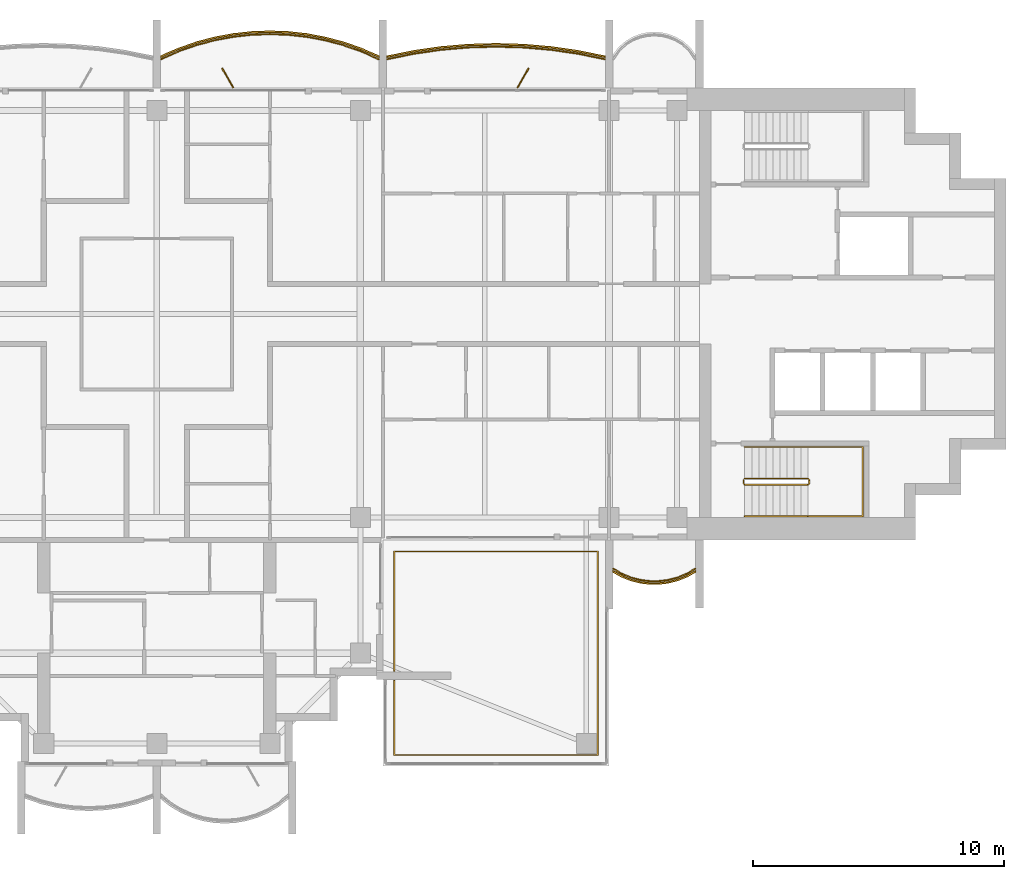
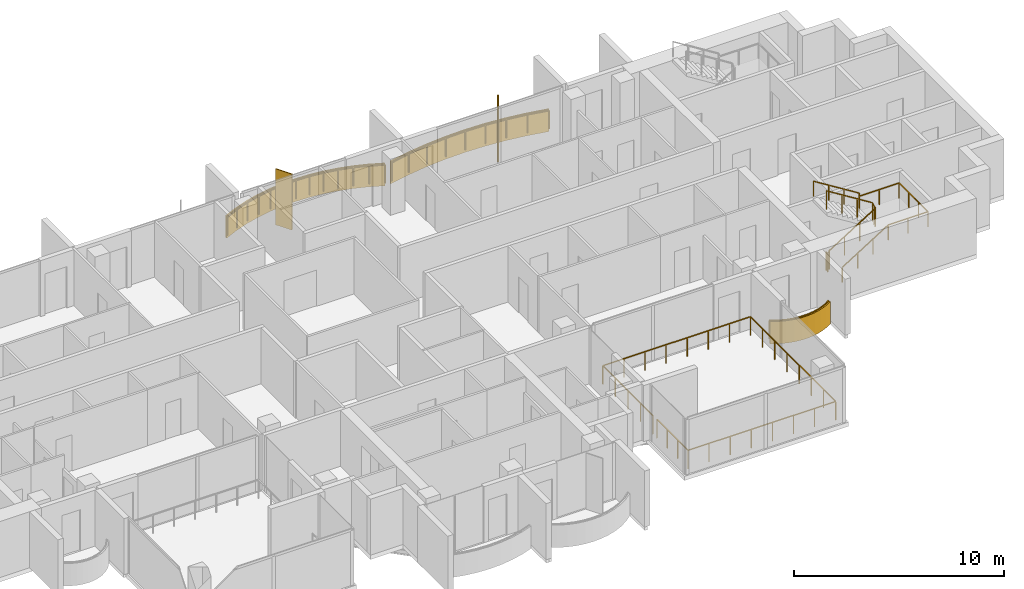
# One storey, part 15 of 16: 6 railings, 3 coverings, 2 shading devices.
"""IFC4 building model written with IfcOpenShell, lengths in metres."""

from ifc_helpers import new_model, si_unit, direction, frame, origin, origin_2d, place, context, subcontext, project, spatial, polyline, rectangle, outline, extrude, material, layer, layer_set, type_object, element, save


model = new_model("IFC4")

# Units and contexts
model_context = context("Model", 3, precision=1e-05, world=origin(), true_north=direction((0.0, 1.0)))
body_context = subcontext(model_context, "Body", "Model", "MODEL_VIEW")
ifc_project = project(units=[si_unit("LENGTHUNIT", "METRE"), si_unit("AREAUNIT", "SQUARE_METRE"), si_unit("VOLUMEUNIT", "CUBIC_METRE"), si_unit("PLANEANGLEUNIT", "RADIAN"), si_unit("MASSUNIT", "GRAM", prefix="KILO")], contexts=[model_context])

# Site, building, storey
site_placement = place(None, origin())
site = spatial("IfcSite", under=ifc_project, at=site_placement, CompositionType="ELEMENT")
building_placement = place(site_placement, origin())
building = spatial("IfcBuilding", under=site, at=building_placement, Name="Perihelion Cross Residences", CompositionType="ELEMENT")
storey_placement = place(building_placement, frame((0.0, 0.0, 267.5)))
storey = spatial("IfcBuildingStorey", under=building, at=storey_placement, Name="L68", CompositionType="ELEMENT", Elevation=267.5)

# Coverings
ifc_material_1 = material(Name="Bronze anodised aluminium", Category="aluminium")
ifc_layer_1 = layer(ifc_material_1, 0.070068359375)
ifc_layer_set_1 = layer_set([ifc_layer_1], Name="Balcony fascia 1300")
covering_type = type_object("IfcCoveringType", Name="Balcony fascia 1300", PredefinedType="CLADDING", material=ifc_layer_set_1)
covering_1_placement = place(storey_placement, frame((0.0, 0.0, -0.199951171875)))
element("IfcCovering", 1, at=covering_1_placement, inside=storey, type_object=covering_type, Name="Fascia BF1 L68 east side north bay 2", PredefinedType="CLADDING", context=body_context, shape_type="SweptSolid", body=[
    extrude(outline(polyline([(16.7744140625, 10.4892578125), (15.682861328125, 10.645751953125), (14.591552734375, 10.739013671875), (13.5, 10.77001953125), (12.408447265625, 10.739013671875), (11.317138671875, 10.645751953125), (10.2255859375, 10.4892578125), (9.14990234375, 10.271484375), (9.14990234375, 10.199951171875), (10.237548828125, 10.42041015625), (11.324951171875, 10.576171875), (12.41259765625, 10.669189453125), (13.5, 10.699951171875), (14.58740234375, 10.669189453125), (15.675048828125, 10.576171875), (16.762451171875, 10.42041015625), (17.85009765625, 10.199951171875), (17.85009765625, 10.271484375), (16.7744140625, 10.4892578125)])), origin(), (0.0, 0.0, 1.0), 1.300048828125),
])
covering_2_placement = place(storey_placement, frame((0.0, 0.0, -0.199951171875)))
element("IfcCovering", 2, at=covering_2_placement, inside=storey, type_object=covering_type, Name="Fascia BF1 L68 north side east bay 1", PredefinedType="CLADDING", context=body_context, shape_type="SweptSolid", body=[
    extrude(outline(polyline([(8.150634765625, 10.582275390625), (7.42041015625, 10.83544921875), (6.690185546875, 11.028076171875), (5.960205078125, 11.1630859375), (5.22998046875, 11.243408203125), (4.5, 11.27001953125), (3.77001953125, 11.243408203125), (3.039794921875, 11.1630859375), (2.309814453125, 11.028076171875), (1.57958984375, 10.83544921875), (0.849365234375, 10.582275390625), (0.14990234375, 10.2763671875), (0.14990234375, 10.199951171875), (0.875, 10.51708984375), (1.60009765625, 10.7685546875), (2.324951171875, 10.959716796875), (3.050048828125, 11.093994140625), (3.77490234375, 11.173583984375), (4.5, 11.199951171875), (5.22509765625, 11.173583984375), (5.949951171875, 11.093994140625), (6.675048828125, 10.959716796875), (7.39990234375, 10.7685546875), (8.125, 10.51708984375), (8.85009765625, 10.199951171875), (8.85009765625, 10.2763671875), (8.150634765625, 10.582275390625)])), origin(), (0.0, 0.0, 1.0), 1.300048828125),
])
covering_3_placement = place(storey_placement, frame((0.0, 0.0, -0.199951171875)))
element("IfcCovering", 3, at=covering_3_placement, inside=storey, type_object=covering_type, Name="Fascia BF1 L68 east side south bay 2", PredefinedType="CLADDING", context=body_context, shape_type="SweptSolid", body=[
    extrude(outline(polyline([(18.486328125, -10.4716796875), (18.861572265625, -10.62158203125), (19.237060546875, -10.717529296875), (19.6123046875, -10.76416015625), (19.987548828125, -10.76416015625), (20.363037109375, -10.717529296875), (20.73828125, -10.62158203125), (21.11376953125, -10.4716796875), (21.449951171875, -10.280517578125), (21.449951171875, -10.199951171875), (21.083251953125, -10.40869140625), (20.716552734375, -10.55517578125), (20.35009765625, -10.648681640625), (19.9833984375, -10.6943359375), (19.61669921875, -10.6943359375), (19.25, -10.648681640625), (18.88330078125, -10.55517578125), (18.5166015625, -10.40869140625), (18.14990234375, -10.199951171875), (18.14990234375, -10.280517578125), (18.486328125, -10.4716796875)])), origin(), (0.0, 0.0, 1.0), 1.300048828125),
])

# Railings
ifc_material_2 = material(Name="Bronze anodised aluminium", Category="aluminium")
railing_type_1 = type_object("IfcRailingType", Name="Balcony guard 1100", PredefinedType="GUARDRAIL", material=ifc_material_2)
railing_1_placement = place(storey_placement, frame((17.824951171875, 10.139892578125, 0.0)))
element("IfcRailing", 4, at=railing_1_placement, inside=storey, type_object=railing_type_1, Name="Guard GU1 L68 east side north bay 2 balcony", PredefinedType="GUARDRAIL", context=body_context, shape_type="SweptSolid", body=[
    extrude(rectangle(XDim=0.048095703125, YDim=0.048095703125, at=origin_2d()), frame((0.0, 0.0, 1.076171875), z_axis=(-0.979144816647, 0.203163549961, 0.0), x_axis=(-0.203163549961, -0.979144816647, 0.0)), (0.0, 0.0, 1.0), 1.085205078125),
    extrude(rectangle(XDim=0.048095703125, YDim=0.048095703125, at=origin_2d()), frame((-1.0625, 0.220458984375, 1.076171875), z_axis=(-0.98989608354, 0.141794724135, 0.0), x_axis=(-0.141794724135, -0.98989608354, 0.0)), (0.0, 0.0, 1.0), 1.098388671875),
    extrude(rectangle(XDim=0.048095703125, YDim=0.048095703125, at=origin_2d()), frame((-2.14990234375, 0.376220703125, 1.076171875), z_axis=(-0.996362942492, 0.085210837506, 0.0), x_axis=(-0.085210837506, -0.996362942492, 0.0)), (0.0, 0.0, 1.0), 1.091552734375),
    extrude(rectangle(XDim=0.048095703125, YDim=0.048095703125, at=origin_2d()), frame((-3.237548828125, 0.46923828125, 1.076171875), z_axis=(-0.999600101203, 0.028277865458, 0.0), x_axis=(-0.028277865458, -0.999600101203, 0.0)), (0.0, 0.0, 1.0), 1.087890625),
    extrude(rectangle(XDim=0.048095703125, YDim=0.048095703125, at=origin_2d()), frame((-4.324951171875, 0.5, 1.076171875), z_axis=(-0.999600101203, -0.028277865458, 0.0), x_axis=(0.028277865458, -0.999600101203, 0.0)), (0.0, 0.0, 1.0), 1.087890625),
    extrude(rectangle(XDim=0.048095703125, YDim=0.048095703125, at=origin_2d()), frame((-5.412353515625, 0.46923828125, 1.076171875), z_axis=(-0.996362942492, -0.085210837506, 0.0), x_axis=(0.085210837506, -0.996362942492, 0.0)), (0.0, 0.0, 1.0), 1.091552734375),
    extrude(rectangle(XDim=0.048095703125, YDim=0.048095703125, at=origin_2d()), frame((-6.5, 0.376220703125, 1.076171875), z_axis=(-0.98989608354, -0.141794724135, 0.0), x_axis=(0.141794724135, -0.98989608354, 0.0)), (0.0, 0.0, 1.0), 1.098388671875),
    extrude(rectangle(XDim=0.048095703125, YDim=0.048095703125, at=origin_2d()), frame((-7.58740234375, 0.220458984375, 1.076171875), z_axis=(-0.979144816647, -0.203163549961, 0.0), x_axis=(0.203163549961, -0.979144816647, 0.0)), (0.0, 0.0, 1.0), 1.085205078125),
    extrude(rectangle(XDim=0.0419921875, YDim=0.0419921875, at=origin_2d()), origin(), (0.0, 0.0, 1.0), 1.052001953125),
    extrude(rectangle(XDim=0.0419921875, YDim=0.0419921875, at=origin_2d()), frame((-1.0625, 0.220458984375, 0.0)), (0.0, 0.0, 1.0), 1.052001953125),
    extrude(rectangle(XDim=0.0419921875, YDim=0.0419921875, at=origin_2d()), frame((-2.14990234375, 0.376220703125, 0.0)), (0.0, 0.0, 1.0), 1.052001953125),
    extrude(rectangle(XDim=0.0419921875, YDim=0.0419921875, at=origin_2d()), frame((-3.237548828125, 0.46923828125, 0.0)), (0.0, 0.0, 1.0), 1.052001953125),
    extrude(rectangle(XDim=0.0419921875, YDim=0.0419921875, at=origin_2d()), frame((-4.324951171875, 0.5, 0.0)), (0.0, 0.0, 1.0), 1.052001953125),
    extrude(rectangle(XDim=0.0419921875, YDim=0.0419921875, at=origin_2d()), frame((-5.412353515625, 0.46923828125, 0.0)), (0.0, 0.0, 1.0), 1.052001953125),
    extrude(rectangle(XDim=0.0419921875, YDim=0.0419921875, at=origin_2d()), frame((-6.5, 0.376220703125, 0.0)), (0.0, 0.0, 1.0), 1.052001953125),
    extrude(rectangle(XDim=0.0419921875, YDim=0.0419921875, at=origin_2d()), frame((-7.58740234375, 0.220458984375, 0.0)), (0.0, 0.0, 1.0), 1.052001953125),
    extrude(rectangle(XDim=0.0419921875, YDim=0.0419921875, at=origin_2d()), frame((-8.64990234375, 0.0, 0.0)), (0.0, 0.0, 1.0), 1.052001953125),
])
railing_2_placement = place(storey_placement, frame((8.824951171875, 10.139892578125, 0.0)))
element("IfcRailing", 5, at=railing_2_placement, inside=storey, type_object=railing_type_1, Name="Guard GU1 L68 north side east bay 1 balcony", PredefinedType="GUARDRAIL", context=body_context, shape_type="SweptSolid", body=[
    extrude(rectangle(XDim=0.048095703125, YDim=0.048095703125, at=origin_2d()), frame((0.0, 0.0, 1.076171875), z_axis=(-0.910866309087, 0.412701547089, 0.0), x_axis=(-0.412701547089, -0.910866309087, 0.0)), (0.0, 0.0, 1.0), 0.7685546875),
    extrude(rectangle(XDim=0.048095703125, YDim=0.048095703125, at=origin_2d()), frame((-0.699951171875, 0.317138671875, 1.076171875), z_axis=(-0.944796812452, 0.327656807012, 0.0), x_axis=(-0.327656807012, -0.944796812452, 0.0)), (0.0, 0.0, 1.0), 0.767578125),
    extrude(rectangle(XDim=0.048095703125, YDim=0.048095703125, at=origin_2d()), frame((-1.425048828125, 0.568603515625, 1.076171875), z_axis=(-0.966939404945, 0.255006249266, 0.0), x_axis=(-0.255006249266, -0.966939404945, 0.0)), (0.0, 0.0, 1.0), 0.749755859375),
    extrude(rectangle(XDim=0.048095703125, YDim=0.048095703125, at=origin_2d()), frame((-2.14990234375, 0.759765625, 1.076171875), z_axis=(-0.983282004984, 0.182089260182, 0.0), x_axis=(-0.182089260182, -0.983282004984, 0.0)), (0.0, 0.0, 1.0), 0.7373046875),
    extrude(rectangle(XDim=0.048095703125, YDim=0.048095703125, at=origin_2d()), frame((-2.875, 0.89404296875, 1.076171875), z_axis=(-0.994025805622, 0.109145305703, 0.0), x_axis=(-0.109145305703, -0.994025805622, 0.0)), (0.0, 0.0, 1.0), 0.729248046875),
    extrude(rectangle(XDim=0.048095703125, YDim=0.048095703125, at=origin_2d()), frame((-3.599853515625, 0.9736328125, 1.076171875), z_axis=(-0.999339497946, 0.036339618107, 0.0), x_axis=(-0.036339618107, -0.999339497946, 0.0)), (0.0, 0.0, 1.0), 0.7255859375),
    extrude(rectangle(XDim=0.048095703125, YDim=0.048095703125, at=origin_2d()), frame((-4.324951171875, 1.0, 1.076171875), z_axis=(-0.999339497946, -0.036339618107, 0.0), x_axis=(0.036339618107, -0.999339497946, 0.0)), (0.0, 0.0, 1.0), 0.7255859375),
    extrude(rectangle(XDim=0.048095703125, YDim=0.048095703125, at=origin_2d()), frame((-5.050048828125, 0.9736328125, 1.076171875), z_axis=(-0.994025805622, -0.109145305703, 0.0), x_axis=(0.109145305703, -0.994025805622, 0.0)), (0.0, 0.0, 1.0), 0.729248046875),
    extrude(rectangle(XDim=0.048095703125, YDim=0.048095703125, at=origin_2d()), frame((-5.77490234375, 0.89404296875, 1.076171875), z_axis=(-0.983282004984, -0.182089260182, 0.0), x_axis=(0.182089260182, -0.983282004984, 0.0)), (0.0, 0.0, 1.0), 0.7373046875),
    extrude(rectangle(XDim=0.048095703125, YDim=0.048095703125, at=origin_2d()), frame((-6.5, 0.759765625, 1.076171875), z_axis=(-0.966939404945, -0.255006249266, 0.0), x_axis=(0.255006249266, -0.966939404945, 0.0)), (0.0, 0.0, 1.0), 0.749755859375),
    extrude(rectangle(XDim=0.048095703125, YDim=0.048095703125, at=origin_2d()), frame((-7.224853515625, 0.568603515625, 1.076171875), z_axis=(-0.944796812452, -0.327656807012, 0.0), x_axis=(0.327656807012, -0.944796812452, 0.0)), (0.0, 0.0, 1.0), 0.767578125),
    extrude(rectangle(XDim=0.048095703125, YDim=0.048095703125, at=origin_2d()), frame((-7.949951171875, 0.317138671875, 1.076171875), z_axis=(-0.910866309087, -0.412701547089, 0.0), x_axis=(0.412701547089, -0.910866309087, 0.0)), (0.0, 0.0, 1.0), 0.7685546875),
    extrude(rectangle(XDim=0.0419921875, YDim=0.0419921875, at=origin_2d()), origin(), (0.0, 0.0, 1.0), 1.052001953125),
    extrude(rectangle(XDim=0.0419921875, YDim=0.0419921875, at=origin_2d()), frame((-0.699951171875, 0.317138671875, 0.0)), (0.0, 0.0, 1.0), 1.052001953125),
    extrude(rectangle(XDim=0.0419921875, YDim=0.0419921875, at=origin_2d()), frame((-1.425048828125, 0.568603515625, 0.0)), (0.0, 0.0, 1.0), 1.052001953125),
    extrude(rectangle(XDim=0.0419921875, YDim=0.0419921875, at=origin_2d()), frame((-2.14990234375, 0.759765625, 0.0)), (0.0, 0.0, 1.0), 1.052001953125),
    extrude(rectangle(XDim=0.0419921875, YDim=0.0419921875, at=origin_2d()), frame((-2.875, 0.89404296875, 0.0)), (0.0, 0.0, 1.0), 1.052001953125),
    extrude(rectangle(XDim=0.0419921875, YDim=0.0419921875, at=origin_2d()), frame((-3.599853515625, 0.9736328125, 0.0)), (0.0, 0.0, 1.0), 1.052001953125),
    extrude(rectangle(XDim=0.0419921875, YDim=0.0419921875, at=origin_2d()), frame((-4.324951171875, 1.0, 0.0)), (0.0, 0.0, 1.0), 1.052001953125),
    extrude(rectangle(XDim=0.0419921875, YDim=0.0419921875, at=origin_2d()), frame((-5.050048828125, 0.9736328125, 0.0)), (0.0, 0.0, 1.0), 1.052001953125),
    extrude(rectangle(XDim=0.0419921875, YDim=0.0419921875, at=origin_2d()), frame((-5.77490234375, 0.89404296875, 0.0)), (0.0, 0.0, 1.0), 1.052001953125),
    extrude(rectangle(XDim=0.0419921875, YDim=0.0419921875, at=origin_2d()), frame((-6.5, 0.759765625, 0.0)), (0.0, 0.0, 1.0), 1.052001953125),
    extrude(rectangle(XDim=0.0419921875, YDim=0.0419921875, at=origin_2d()), frame((-7.224853515625, 0.568603515625, 0.0)), (0.0, 0.0, 1.0), 1.052001953125),
    extrude(rectangle(XDim=0.0419921875, YDim=0.0419921875, at=origin_2d()), frame((-7.949951171875, 0.317138671875, 0.0)), (0.0, 0.0, 1.0), 1.052001953125),
    extrude(rectangle(XDim=0.0419921875, YDim=0.0419921875, at=origin_2d()), frame((-8.64990234375, 0.0, 0.0)), (0.0, 0.0, 1.0), 1.052001953125),
])
railing_3_placement = place(storey_placement, frame((18.175048828125, -10.139892578125, 0.0)))
element("IfcRailing", 6, at=railing_3_placement, inside=storey, type_object=railing_type_1, Name="Guard GU1 L68 east side south bay 2 balcony", PredefinedType="GUARDRAIL", context=body_context, shape_type="SweptSolid", body=[
    extrude(rectangle(XDim=0.048095703125, YDim=0.048095703125, at=origin_2d()), frame((0.0, 0.0, 1.076171875), z_axis=(0.853266756821, -0.52147467983, 0.0), x_axis=(0.52147467983, 0.853266756821, 0.0)), (0.0, 0.0, 1.0), 0.400390625),
    extrude(rectangle(XDim=0.048095703125, YDim=0.048095703125, at=origin_2d()), frame((0.341552734375, -0.208740234375, 1.076171875), z_axis=(0.928647151248, -0.37096424151, 0.0), x_axis=(0.37096424151, 0.928647151248, 0.0)), (0.0, 0.0, 1.0), 0.394775390625),
    extrude(rectangle(XDim=0.048095703125, YDim=0.048095703125, at=origin_2d()), frame((0.708251953125, -0.355224609375, 1.076171875), z_axis=(0.968993337782, -0.247086849781, 0.0), x_axis=(0.247086849781, 0.968993337782, 0.0)), (0.0, 0.0, 1.0), 0.37841796875),
    extrude(rectangle(XDim=0.048095703125, YDim=0.048095703125, at=origin_2d()), frame((1.074951171875, -0.44873046875, 1.076171875), z_axis=(0.992338742457, -0.123546834114, 0.0), x_axis=(0.123546834114, 0.992338742457, 0.0)), (0.0, 0.0, 1.0), 0.36962890625),
    extrude(rectangle(XDim=0.048095703125, YDim=0.048095703125, at=origin_2d()), frame((1.441650390625, -0.494384765625, 1.076171875), z_axis=(1.0, 0.0, 0.0), x_axis=(0.0, 1.0, 0.0)), (0.0, 0.0, 1.0), 0.36669921875),
    extrude(rectangle(XDim=0.048095703125, YDim=0.048095703125, at=origin_2d()), frame((1.808349609375, -0.494384765625, 1.076171875), z_axis=(0.992338742457, 0.123546834114, 0.0), x_axis=(-0.123546834114, 0.992338742457, 0.0)), (0.0, 0.0, 1.0), 0.36962890625),
    extrude(rectangle(XDim=0.048095703125, YDim=0.048095703125, at=origin_2d()), frame((2.175048828125, -0.44873046875, 1.076171875), z_axis=(0.968953914071, 0.247241405123, 0.0), x_axis=(-0.247241405123, 0.968953914071, 0.0)), (0.0, 0.0, 1.0), 0.378173828125),
    extrude(rectangle(XDim=0.048095703125, YDim=0.048095703125, at=origin_2d()), frame((2.54150390625, -0.355224609375, 1.076171875), z_axis=(0.928647151248, 0.37096424151, 0.0), x_axis=(-0.37096424151, 0.928647151248, 0.0)), (0.0, 0.0, 1.0), 0.394775390625),
    extrude(rectangle(XDim=0.048095703125, YDim=0.048095703125, at=origin_2d()), frame((2.908203125, -0.208740234375, 1.076171875), z_axis=(0.853432484338, 0.521203410078, 0.0), x_axis=(-0.521203410078, 0.853432484338, 0.0)), (0.0, 0.0, 1.0), 0.400390625),
    extrude(rectangle(XDim=0.0419921875, YDim=0.0419921875, at=origin_2d()), origin(), (0.0, 0.0, 1.0), 1.052001953125),
    extrude(rectangle(XDim=0.0419921875, YDim=0.0419921875, at=origin_2d()), frame((0.341552734375, -0.208740234375, 0.0)), (0.0, 0.0, 1.0), 1.052001953125),
    extrude(rectangle(XDim=0.0419921875, YDim=0.0419921875, at=origin_2d()), frame((0.708251953125, -0.355224609375, 0.0)), (0.0, 0.0, 1.0), 1.052001953125),
    extrude(rectangle(XDim=0.0419921875, YDim=0.0419921875, at=origin_2d()), frame((1.074951171875, -0.44873046875, 0.0)), (0.0, 0.0, 1.0), 1.052001953125),
    extrude(rectangle(XDim=0.0419921875, YDim=0.0419921875, at=origin_2d()), frame((1.441650390625, -0.494384765625, 0.0)), (0.0, 0.0, 1.0), 1.052001953125),
    extrude(rectangle(XDim=0.0419921875, YDim=0.0419921875, at=origin_2d()), frame((1.808349609375, -0.494384765625, 0.0)), (0.0, 0.0, 1.0), 1.052001953125),
    extrude(rectangle(XDim=0.0419921875, YDim=0.0419921875, at=origin_2d()), frame((2.175048828125, -0.44873046875, 0.0)), (0.0, 0.0, 1.0), 1.052001953125),
    extrude(rectangle(XDim=0.0419921875, YDim=0.0419921875, at=origin_2d()), frame((2.54150390625, -0.355224609375, 0.0)), (0.0, 0.0, 1.0), 1.052001953125),
    extrude(rectangle(XDim=0.0419921875, YDim=0.0419921875, at=origin_2d()), frame((2.908203125, -0.208740234375, 0.0)), (0.0, 0.0, 1.0), 1.052001953125),
    extrude(rectangle(XDim=0.0419921875, YDim=0.0419921875, at=origin_2d()), frame((3.25, 0.0, 0.0)), (0.0, 0.0, 1.0), 1.052001953125),
])
railing_4_placement = place(storey_placement, frame((9.449951171875, -14.2099609375, 0.0)))
element("IfcRailing", 7, at=railing_4_placement, inside=storey, type_object=railing_type_1, Name="Guard GU1 L68 pocket south-east 1", PredefinedType="GUARDRAIL", context=body_context, shape_type="SweptSolid", body=[
    extrude(rectangle(XDim=0.048095703125, YDim=0.048095703125, at=origin_2d()), frame((0.0, 0.0, 1.076171875), z_axis=(0.0, 1.0, 0.0), x_axis=(-1.0, 0.0, 0.0)), (0.0, 0.0, 1.0), 4.760009765625),
    extrude(rectangle(XDim=0.048095703125, YDim=0.048095703125, at=origin_2d()), frame((0.0, 4.760009765625, 1.076171875), z_axis=(1.0, 0.0, 0.0), x_axis=(0.0, 1.0, 0.0)), (0.0, 0.0, 1.0), 8.10009765625),
    extrude(rectangle(XDim=0.048095703125, YDim=0.048095703125, at=origin_2d()), frame((8.10009765625, 4.760009765625, 1.076171875), z_axis=(0.0, -1.0, 0.0), x_axis=(1.0, 0.0, 0.0)), (0.0, 0.0, 1.0), 8.10009765625),
    extrude(rectangle(XDim=0.048095703125, YDim=0.048095703125, at=origin_2d()), frame((8.10009765625, -3.340087890625, 1.076171875), z_axis=(-1.0, 0.0, 0.0), x_axis=(0.0, -1.0, 0.0)), (0.0, 0.0, 1.0), 8.10009765625),
    extrude(rectangle(XDim=0.048095703125, YDim=0.048095703125, at=origin_2d()), frame((0.0, -3.340087890625, 1.076171875), z_axis=(0.0, 1.0, 0.0), x_axis=(-1.0, 0.0, 0.0)), (0.0, 0.0, 1.0), 2.9599609375),
    extrude(rectangle(XDim=0.0419921875, YDim=0.0419921875, at=origin_2d()), origin(), (0.0, 0.0, 1.0), 1.052001953125),
    extrude(rectangle(XDim=0.0419921875, YDim=0.0419921875, at=origin_2d()), frame((0.0, 1.18994140625, 0.0)), (0.0, 0.0, 1.0), 1.052001953125),
    extrude(rectangle(XDim=0.0419921875, YDim=0.0419921875, at=origin_2d()), frame((0.0, 2.3798828125, 0.0)), (0.0, 0.0, 1.0), 1.052001953125),
    extrude(rectangle(XDim=0.0419921875, YDim=0.0419921875, at=origin_2d()), frame((0.0, 3.570068359375, 0.0)), (0.0, 0.0, 1.0), 1.052001953125),
    extrude(rectangle(XDim=0.0419921875, YDim=0.0419921875, at=origin_2d()), frame((0.0, 4.760009765625, 0.0)), (0.0, 0.0, 1.0), 1.052001953125),
    extrude(rectangle(XDim=0.0419921875, YDim=0.0419921875, at=origin_2d()), frame((1.1572265625, 4.760009765625, 0.0)), (0.0, 0.0, 1.0), 1.052001953125),
    extrude(rectangle(XDim=0.0419921875, YDim=0.0419921875, at=origin_2d()), frame((2.314208984375, 4.760009765625, 0.0)), (0.0, 0.0, 1.0), 1.052001953125),
    extrude(rectangle(XDim=0.0419921875, YDim=0.0419921875, at=origin_2d()), frame((3.471435546875, 4.760009765625, 0.0)), (0.0, 0.0, 1.0), 1.052001953125),
    extrude(rectangle(XDim=0.0419921875, YDim=0.0419921875, at=origin_2d()), frame((4.628662109375, 4.760009765625, 0.0)), (0.0, 0.0, 1.0), 1.052001953125),
    extrude(rectangle(XDim=0.0419921875, YDim=0.0419921875, at=origin_2d()), frame((5.785888671875, 4.760009765625, 0.0)), (0.0, 0.0, 1.0), 1.052001953125),
    extrude(rectangle(XDim=0.0419921875, YDim=0.0419921875, at=origin_2d()), frame((6.94287109375, 4.760009765625, 0.0)), (0.0, 0.0, 1.0), 1.052001953125),
    extrude(rectangle(XDim=0.0419921875, YDim=0.0419921875, at=origin_2d()), frame((8.10009765625, 4.760009765625, 0.0)), (0.0, 0.0, 1.0), 1.052001953125),
    extrude(rectangle(XDim=0.0419921875, YDim=0.0419921875, at=origin_2d()), frame((8.10009765625, 3.602783203125, 0.0)), (0.0, 0.0, 1.0), 1.052001953125),
    extrude(rectangle(XDim=0.0419921875, YDim=0.0419921875, at=origin_2d()), frame((8.10009765625, 2.44580078125, 0.0)), (0.0, 0.0, 1.0), 1.052001953125),
    extrude(rectangle(XDim=0.0419921875, YDim=0.0419921875, at=origin_2d()), frame((8.10009765625, 1.28857421875, 0.0)), (0.0, 0.0, 1.0), 1.052001953125),
    extrude(rectangle(XDim=0.0419921875, YDim=0.0419921875, at=origin_2d()), frame((8.10009765625, 0.13134765625, 0.0)), (0.0, 0.0, 1.0), 1.052001953125),
    extrude(rectangle(XDim=0.0419921875, YDim=0.0419921875, at=origin_2d()), frame((8.10009765625, -1.02587890625, 0.0)), (0.0, 0.0, 1.0), 1.052001953125),
    extrude(rectangle(XDim=0.0419921875, YDim=0.0419921875, at=origin_2d()), frame((8.10009765625, -2.182861328125, 0.0)), (0.0, 0.0, 1.0), 1.052001953125),
    extrude(rectangle(XDim=0.0419921875, YDim=0.0419921875, at=origin_2d()), frame((8.10009765625, -3.340087890625, 0.0)), (0.0, 0.0, 1.0), 1.052001953125),
    extrude(rectangle(XDim=0.0419921875, YDim=0.0419921875, at=origin_2d()), frame((6.94287109375, -3.340087890625, 0.0)), (0.0, 0.0, 1.0), 1.052001953125),
    extrude(rectangle(XDim=0.0419921875, YDim=0.0419921875, at=origin_2d()), frame((5.785888671875, -3.340087890625, 0.0)), (0.0, 0.0, 1.0), 1.052001953125),
    extrude(rectangle(XDim=0.0419921875, YDim=0.0419921875, at=origin_2d()), frame((4.628662109375, -3.340087890625, 0.0)), (0.0, 0.0, 1.0), 1.052001953125),
    extrude(rectangle(XDim=0.0419921875, YDim=0.0419921875, at=origin_2d()), frame((3.471435546875, -3.340087890625, 0.0)), (0.0, 0.0, 1.0), 1.052001953125),
    extrude(rectangle(XDim=0.0419921875, YDim=0.0419921875, at=origin_2d()), frame((2.314208984375, -3.340087890625, 0.0)), (0.0, 0.0, 1.0), 1.052001953125),
    extrude(rectangle(XDim=0.0419921875, YDim=0.0419921875, at=origin_2d()), frame((1.1572265625, -3.340087890625, 0.0)), (0.0, 0.0, 1.0), 1.052001953125),
    extrude(rectangle(XDim=0.0419921875, YDim=0.0419921875, at=origin_2d()), frame((0.0, -3.340087890625, 0.0)), (0.0, 0.0, 1.0), 1.052001953125),
    extrude(rectangle(XDim=0.0419921875, YDim=0.0419921875, at=origin_2d()), frame((0.0, -2.353515625, 0.0)), (0.0, 0.0, 1.0), 1.052001953125),
    extrude(rectangle(XDim=0.0419921875, YDim=0.0419921875, at=origin_2d()), frame((0.0, -1.36669921875, 0.0)), (0.0, 0.0, 1.0), 1.052001953125),
    extrude(rectangle(XDim=0.0419921875, YDim=0.0419921875, at=origin_2d()), frame((0.0, -0.380126953125, 0.0)), (0.0, 0.0, 1.0), 1.052001953125),
])

# Shading devices
ifc_material_3 = material(Name="Bronze anodised aluminium", Category="aluminium")
ifc_layer_2 = layer(ifc_material_3, 0.050048828125)
ifc_layer_set_2 = layer_set([ifc_layer_2], Name="Bronze fin 900")
shading_device_type = type_object("IfcShadingDeviceType", Name="Bronze fin 900", PredefinedType="USERDEFINED", material=ifc_layer_set_2)
for number, where, z_axis, x_axis, name in (
    (8, (14.574951171875, 9.3896484375, 0.0), (0.0, 0.0, 1.0), (0.5, 0.866025403784, 0.0), "Fin FN1 L68 east side north bay 2"),
    (9, (2.824951171875, 9.3896484375, 0.0), (0.0, 0.0, 1.0), (-0.5, 0.866025403784, 0.0), "Fin FN1 L68 north side east bay 1"),
):
    element("IfcShadingDevice", number, at=place(storey_placement, frame(where, z_axis=z_axis, x_axis=x_axis)), inside=storey, type_object=shading_device_type, Name=name, ObjectType="FIN", PredefinedType="USERDEFINED", context=body_context, shape_type="SweptSolid", body=[
        extrude(rectangle(XDim=0.89990234375, YDim=0.050048828125, at=origin_2d()), origin(), (0.0, 0.0, 1.0), 3.25),
    ])

# Railings
ifc_material_4 = material(Name="Stainless steel", Category="steel")
railing_type_2 = type_object("IfcRailingType", Name="Stair guard 1100", PredefinedType="GUARDRAIL", material=ifc_material_4)
railing_5_placement = place(storey_placement, frame((23.35009765625, -6.60009765625, 0.0)))
element("IfcRailing", 10, at=railing_5_placement, inside=storey, type_object=railing_type_2, Name="L68 ST-E2 stair guard 1", PredefinedType="GUARDRAIL", context=body_context, shape_type="SweptSolid", body=[
    extrude(rectangle(XDim=0.048095703125, YDim=0.048095703125, at=origin_2d()), frame((0.0, 0.0, 1.076171875), z_axis=(0.0, -1.0, 0.0), x_axis=(1.0, 0.0, 0.0)), (0.0, 0.0, 1.0), 0.14990234375),
    extrude(rectangle(XDim=0.048095703125, YDim=0.048095703125, at=origin_2d()), frame((0.0, -0.14990234375, 1.076171875), z_axis=(0.263862480399, -0.265155923931, 0.927399011991), x_axis=(0.708833529934, 0.705375805398, 0.0)), (0.0, 0.0, 1.0), 0.188720703125),
    extrude(rectangle(XDim=0.048095703125, YDim=0.048095703125, at=origin_2d()), frame((0.0498046875, -0.199951171875, 1.2509765625), z_axis=(0.848007534815, 0.0, 0.529984170421), x_axis=(0.0, 1.0, 0.0)), (0.0, 0.0, 1.0), 2.9716796875),
    extrude(rectangle(XDim=0.048095703125, YDim=0.048095703125, at=origin_2d()), frame((2.56982421875, -0.199951171875, 2.826171875), z_axis=(0.707106781187, 0.707106781187, 0.0), x_axis=(-0.707106781187, 0.707106781187, 0.0)), (0.0, 0.0, 1.0), 0.07080078125),
    extrude(rectangle(XDim=0.048095703125, YDim=0.048095703125, at=origin_2d()), frame((2.619873046875, -0.14990234375, 2.826171875), z_axis=(0.0, 1.0, 0.0), x_axis=(-1.0, 0.0, 0.0)), (0.0, 0.0, 1.0), 0.14990234375),
    extrude(rectangle(XDim=0.048095703125, YDim=0.048095703125, at=origin_2d()), frame((2.619873046875, 0.0, 2.826171875), z_axis=(-0.265065253269, 0.265065253269, 0.927081885822), x_axis=(-0.707106781187, -0.707106781187, 0.0)), (0.0, 0.0, 1.0), 0.188720703125),
    extrude(rectangle(XDim=0.048095703125, YDim=0.048095703125, at=origin_2d()), frame((2.56982421875, 0.050048828125, 3.0009765625), z_axis=(-0.848007534815, 0.0, 0.529984170421), x_axis=(0.0, -1.0, 0.0)), (0.0, 0.0, 1.0), 2.9716796875),
    extrude(rectangle(XDim=0.0419921875, YDim=0.0419921875, at=origin_2d()), origin(), (0.0, 0.0, 1.0), 1.052001953125),
    extrude(rectangle(XDim=0.0419921875, YDim=0.0419921875, at=origin_2d()), frame((0.0, -0.14990234375, 0.0)), (0.0, 0.0, 1.0), 1.052001953125),
    extrude(rectangle(XDim=0.0419921875, YDim=0.0419921875, at=origin_2d()), frame((0.0498046875, -0.199951171875, 0.175048828125)), (0.0, 0.0, 1.0), 1.052001953125),
    extrude(rectangle(XDim=0.0419921875, YDim=0.0419921875, at=origin_2d()), frame((0.889892578125, -0.199951171875, 0.699951171875)), (0.0, 0.0, 1.0), 1.052001953125),
    extrude(rectangle(XDim=0.0419921875, YDim=0.0419921875, at=origin_2d()), frame((1.729736328125, -0.199951171875, 1.22509765625)), (0.0, 0.0, 1.0), 1.052001953125),
    extrude(rectangle(XDim=0.0419921875, YDim=0.0419921875, at=origin_2d()), frame((2.56982421875, -0.199951171875, 1.75)), (0.0, 0.0, 1.0), 1.052001953125),
    extrude(rectangle(XDim=0.0419921875, YDim=0.0419921875, at=origin_2d()), frame((2.619873046875, -0.14990234375, 1.75)), (0.0, 0.0, 1.0), 1.052001953125),
    extrude(rectangle(XDim=0.0419921875, YDim=0.0419921875, at=origin_2d()), frame((2.619873046875, 0.0, 1.75)), (0.0, 0.0, 1.0), 1.052001953125),
    extrude(rectangle(XDim=0.0419921875, YDim=0.0419921875, at=origin_2d()), frame((2.56982421875, 0.050048828125, 1.925048828125)), (0.0, 0.0, 1.0), 1.052001953125),
    extrude(rectangle(XDim=0.0419921875, YDim=0.0419921875, at=origin_2d()), frame((1.729736328125, 0.050048828125, 2.449951171875)), (0.0, 0.0, 1.0), 1.052001953125),
    extrude(rectangle(XDim=0.0419921875, YDim=0.0419921875, at=origin_2d()), frame((0.889892578125, 0.050048828125, 2.97509765625)), (0.0, 0.0, 1.0), 1.052001953125),
    extrude(rectangle(XDim=0.0419921875, YDim=0.0419921875, at=origin_2d()), frame((0.0498046875, 0.050048828125, 3.5)), (0.0, 0.0, 1.0), 1.052001953125),
])
ifc_material_5 = material(Name="Stainless steel", Category="steel")
railing_type_3 = type_object("IfcRailingType", Name="Stair handrail 900", PredefinedType="HANDRAIL", material=ifc_material_5)
railing_6_placement = place(storey_placement, frame((23.39990234375, -8.050048828125, 0.175048828125)))
element("IfcRailing", 11, at=railing_6_placement, inside=storey, type_object=railing_type_3, Name="L68 ST-E2 stair handrail 1", PredefinedType="HANDRAIL", context=body_context, shape_type="SweptSolid", body=[
    extrude(rectangle(XDim=0.048095703125, YDim=0.048095703125, at=origin_2d()), frame((0.0, 0.0, 0.8759765625), z_axis=(0.848007534815, 0.0, 0.529984170421), x_axis=(0.0, 1.0, 0.0)), (0.0, 0.0, 1.0), 2.9716796875),
    extrude(rectangle(XDim=0.048095703125, YDim=0.048095703125, at=origin_2d()), frame((2.52001953125, 0.0, 2.45068359375), z_axis=(1.0, 0.0, 0.0), x_axis=(0.0, 1.0, 0.0)), (0.0, 0.0, 1.0), 2.18017578125),
    extrude(rectangle(XDim=0.048095703125, YDim=0.048095703125, at=origin_2d()), frame((4.7001953125, 0.0, 2.45068359375), z_axis=(0.0, 1.0, 0.0), x_axis=(-1.0, 0.0, 0.0)), (0.0, 0.0, 1.0), 2.75),
    extrude(rectangle(XDim=0.048095703125, YDim=0.048095703125, at=origin_2d()), frame((4.7001953125, 2.75, 2.45068359375), z_axis=(-1.0, 0.0, 0.0), x_axis=(0.0, -1.0, 0.0)), (0.0, 0.0, 1.0), 2.18017578125),
    extrude(rectangle(XDim=0.048095703125, YDim=0.048095703125, at=origin_2d()), frame((2.52001953125, 2.75, 2.45068359375), z_axis=(0.0, 0.0, 1.0), x_axis=(1.0, 0.0, 0.0)), (0.0, 0.0, 1.0), 0.175048828125),
    extrude(rectangle(XDim=0.048095703125, YDim=0.048095703125, at=origin_2d()), frame((2.52001953125, 2.75, 2.6259765625), z_axis=(-0.848007534815, 0.0, 0.529984170421), x_axis=(0.0, -1.0, 0.0)), (0.0, 0.0, 1.0), 2.9716796875),
    extrude(rectangle(XDim=0.0419921875, YDim=0.0419921875, at=origin_2d()), origin(), (0.0, 0.0, 1.0), 0.851806640625),
    extrude(rectangle(XDim=0.0419921875, YDim=0.0419921875, at=origin_2d()), frame((0.840087890625, 0.0, 0.52490234375)), (0.0, 0.0, 1.0), 0.851806640625),
    extrude(rectangle(XDim=0.0419921875, YDim=0.0419921875, at=origin_2d()), frame((1.679931640625, 0.0, 1.050048828125)), (0.0, 0.0, 1.0), 0.851806640625),
    extrude(rectangle(XDim=0.0419921875, YDim=0.0419921875, at=origin_2d()), frame((2.52001953125, 0.0, 1.574951171875)), (0.0, 0.0, 1.0), 0.851806640625),
    extrude(rectangle(XDim=0.0419921875, YDim=0.0419921875, at=origin_2d()), frame((3.610107421875, 0.0, 1.574951171875)), (0.0, 0.0, 1.0), 0.851806640625),
    extrude(rectangle(XDim=0.0419921875, YDim=0.0419921875, at=origin_2d()), frame((4.7001953125, 0.0, 1.574951171875)), (0.0, 0.0, 1.0), 0.851806640625),
    extrude(rectangle(XDim=0.0419921875, YDim=0.0419921875, at=origin_2d()), frame((4.7001953125, 0.916748046875, 1.574951171875)), (0.0, 0.0, 1.0), 0.851806640625),
    extrude(rectangle(XDim=0.0419921875, YDim=0.0419921875, at=origin_2d()), frame((4.7001953125, 1.833251953125, 1.574951171875)), (0.0, 0.0, 1.0), 0.851806640625),
    extrude(rectangle(XDim=0.0419921875, YDim=0.0419921875, at=origin_2d()), frame((4.7001953125, 2.75, 1.574951171875)), (0.0, 0.0, 1.0), 0.851806640625),
    extrude(rectangle(XDim=0.0419921875, YDim=0.0419921875, at=origin_2d()), frame((3.610107421875, 2.75, 1.574951171875)), (0.0, 0.0, 1.0), 0.851806640625),
    extrude(rectangle(XDim=0.0419921875, YDim=0.0419921875, at=origin_2d()), frame((2.52001953125, 2.75, 1.574951171875)), (0.0, 0.0, 1.0), 0.851806640625),
    extrude(rectangle(XDim=0.0419921875, YDim=0.0419921875, at=origin_2d()), frame((2.52001953125, 2.75, 1.75)), (0.0, 0.0, 1.0), 0.851806640625),
    extrude(rectangle(XDim=0.0419921875, YDim=0.0419921875, at=origin_2d()), frame((1.679931640625, 2.75, 2.27490234375)), (0.0, 0.0, 1.0), 0.851806640625),
    extrude(rectangle(XDim=0.0419921875, YDim=0.0419921875, at=origin_2d()), frame((0.840087890625, 2.75, 2.800048828125)), (0.0, 0.0, 1.0), 0.851806640625),
    extrude(rectangle(XDim=0.0419921875, YDim=0.0419921875, at=origin_2d()), frame((0.0, 2.75, 3.324951171875)), (0.0, 0.0, 1.0), 0.851806640625),
])

save(model, "model.ifc")
